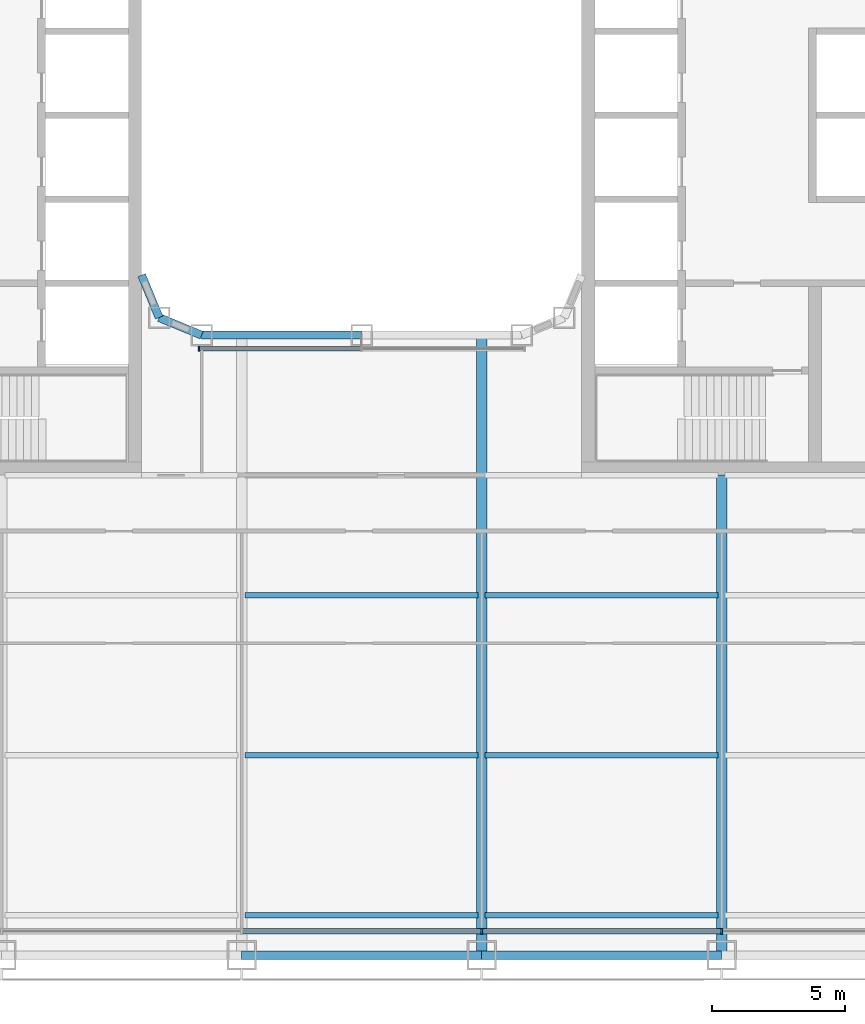
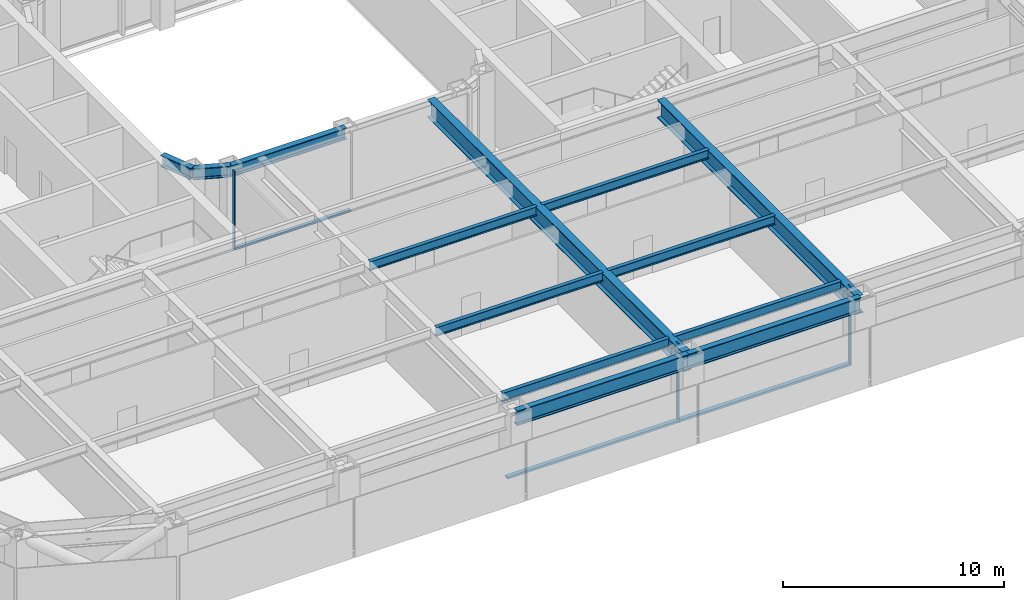
# One storey, part 3 of 24: 13 beams, 6 members, 2 elements without a shape of their own.
"""IFC4 building model written with IfcOpenShell, lengths in metres."""

import ifcopenshell
import ifcopenshell.guid

model = None  # the IFC model being written
_history = None  # IfcOwnerHistory: only IFC2X3 demands one
_inside = {}  # id of a spatial element -> (the spatial element, [elements in it])
_under = {}  # id of a project, library or spatial element -> (it, [spatial elements below it])
_declared = {}  # id of a project -> (the project, [libraries it declares])
_typed = {}  # id of a type object -> (the type object, [elements of that type])
_made_of = {}  # id of a material, layer set ... -> (it, [elements and type objects made of it])


def new_model(schema):
    """Start an empty IFC model of exactly this schema.

    Asked for "IFC4X3", IfcOpenShell would pick the latest addendum, in which some entities
    have other attributes; the version numbers below select the first issue.
    IFC2X3 requires an IfcOwnerHistory on every rooted entity: one is made here for all.
    """
    global model, _history
    if schema == "IFC4X3":
        model = ifcopenshell.file(schema_version=(4, 3, 0, 0))
    else:
        model = ifcopenshell.file(schema=schema)
    _inside.clear()
    _under.clear()
    _declared.clear()
    _typed.clear()
    _made_of.clear()
    _history = None
    if model.schema == "IFC2X3":
        org = make("IfcOrganization", Name="unknown")
        user = make(
            "IfcPersonAndOrganization",
            ThePerson=make("IfcPerson", FamilyName="unknown"),
            TheOrganization=org,
        )
        app = make(
            "IfcApplication",
            ApplicationDeveloper=org,
            Version="unknown",
            ApplicationFullName="unknown",
            ApplicationIdentifier="unknown",
        )
        _history = make(
            "IfcOwnerHistory",
            OwningUser=user,
            OwningApplication=app,
            ChangeAction="ADDED",
            CreationDate=0,
        )
    return model


def make(cls, **values):
    """One entity of the class cls with the attributes given. An attribute that is None is left unset."""
    return model.create_entity(
        cls, **{name: value for name, value in values.items() if value is not None}
    )


def rooted(cls, **values):
    """An entity with a GlobalId (a new one), such as an element, a storey or a relation."""
    return make(cls, GlobalId=ifcopenshell.guid.new(), OwnerHistory=_history, **values)


def si_unit(unit_type, name, prefix=None):
    """IfcSIUnit, for example si_unit("LENGTHUNIT", "METRE", prefix="MILLI")."""
    return make("IfcSIUnit", UnitType=unit_type, Prefix=prefix, Name=name)


def assignment(units):
    """IfcUnitAssignment: the units of a project."""
    return None if units is None else make("IfcUnitAssignment", Units=units)


def point(xyz):
    """IfcCartesianPoint."""
    return None if xyz is None else make("IfcCartesianPoint", Coordinates=xyz)


def direction(xyz):
    """IfcDirection."""
    return None if xyz is None else make("IfcDirection", DirectionRatios=xyz)


def frame(location, z_axis=None, x_axis=None):
    """IfcAxis2Placement3D, a coordinate frame: its origin and axes. An axis left out is left unset."""
    return make(
        "IfcAxis2Placement3D",
        Location=point(location),
        Axis=direction(z_axis),
        RefDirection=direction(x_axis),
    )


def frame_2d(location, x_axis=None):
    """IfcAxis2Placement2D, a coordinate frame in the plane: its origin and x axis."""
    return make(
        "IfcAxis2Placement2D", Location=point(location), RefDirection=direction(x_axis)
    )


def origin():
    """The frame at (0, 0, 0) with its axes left unset."""
    return frame((0.0, 0.0, 0.0))


def origin_2d():
    """The frame at (0, 0) in the plane with its x axis left unset."""
    return frame_2d((0.0, 0.0))


def place(relative_to, where):
    """IfcLocalPlacement: puts the frame where relative to a parent placement (None: the world)."""
    return make(
        "IfcLocalPlacement", PlacementRelTo=relative_to, RelativePlacement=where
    )


def context(
    kind, dimensions, precision=None, world=None, true_north=None, identifier=None
):
    """IfcGeometricRepresentationContext, for example the 3D "Model" context."""
    return make(
        "IfcGeometricRepresentationContext",
        ContextIdentifier=identifier,
        ContextType=kind,
        CoordinateSpaceDimension=dimensions,
        Precision=precision,
        WorldCoordinateSystem=world,
        TrueNorth=true_north,
    )


def subcontext(parent, identifier, kind, view, scale=None):
    """IfcGeometricRepresentationSubContext, for example "Body" below "Model"."""
    return make(
        "IfcGeometricRepresentationSubContext",
        ContextIdentifier=identifier,
        ContextType=kind,
        ParentContext=parent,
        TargetScale=scale,
        TargetView=view,
    )


def project(units=None, contexts=None):
    """IfcProject with its units and contexts."""
    return rooted(
        "IfcProject",
        Name="project",
        RepresentationContexts=contexts,
        UnitsInContext=assignment(units),
    )


def spatial(cls, under=None, at=None, **own):
    """A site, building, storey or space (cls), placed at a placement, below another one or the project."""
    s = rooted(cls, ObjectPlacement=at, **own)
    if under is not None:
        _under.setdefault(under.id(), (under, []))[1].append(s)
    return s


def profile(cls, at=None, kind="AREA", **sizes):
    """A parametric profile (cls). Its sizes go by their IFC names, for example OverallWidth=200.0."""
    return make(cls, ProfileType=kind, Position=at, **sizes)


def rectangle(**sizes):
    """IfcRectangleProfileDef."""
    return profile("IfcRectangleProfileDef", **sizes)


def i_section(**sizes):
    """IfcIShapeProfileDef."""
    return profile("IfcIShapeProfileDef", **sizes)


def extrude(swept, where, along, depth):
    """IfcExtrudedAreaSolid: the profile swept, set in the frame where, extruded along a direction by depth."""
    return make(
        "IfcExtrudedAreaSolid",
        SweptArea=swept,
        Position=where,
        ExtrudedDirection=direction(along),
        Depth=depth,
    )


def shape(context_of_items, identifier, shape_type, items):
    """IfcShapeRepresentation: the items that make up one representation, for example the "Body"."""
    return make(
        "IfcShapeRepresentation",
        ContextOfItems=context_of_items,
        RepresentationIdentifier=identifier,
        RepresentationType=shape_type,
        Items=items,
    )


def material(Name=None, Category=None):
    """IfcMaterial."""
    return make("IfcMaterial", Name=Name, Category=Category)


def layer(
    of_material, thickness, ventilated=None, Name=None, Category=None, Priority=None
):
    """IfcMaterialLayer: one layer of a wall or slab, of a material (None: an air gap)."""
    return make(
        "IfcMaterialLayer",
        Material=of_material,
        LayerThickness=thickness,
        IsVentilated=ventilated,
        Name=Name,
        Category=Category,
        Priority=Priority,
    )


def layer_set(layers, Name=None):
    """IfcMaterialLayerSet."""
    return make("IfcMaterialLayerSet", MaterialLayers=layers, LayerSetName=Name)


def material_profile(
    of_material, cross_section, Name=None, Category=None, Priority=None
):
    """IfcMaterialProfile: a cross section and its material."""
    return make(
        "IfcMaterialProfile",
        Name=Name,
        Material=of_material,
        Profile=cross_section,
        Priority=Priority,
        Category=Category,
    )


def profile_set(profiles, Name=None, composite=None):
    """IfcMaterialProfileSet."""
    return make(
        "IfcMaterialProfileSet",
        Name=Name,
        MaterialProfiles=profiles,
        CompositeProfile=composite,
    )


def made_of(thing, what):
    """Note that an element or type object is made of a material, layer set ...; save() writes the relation."""
    if what is not None:
        _made_of.setdefault(what.id(), (what, []))[1].append(thing)
    return thing


def type_object(cls, material=None, **own):
    """A type object (cls), such as IfcWallType, which elements share."""
    return made_of(rooted(cls, **own), material)


def element(
    cls,
    number,
    at=None,
    inside=None,
    cuts=None,
    type_object=None,
    material=None,
    context=None,
    identifier="Body",
    shape_type=None,
    held_by="IfcProductDefinitionShape",
    body=None,
    shapes=None,
    **own,
):
    """One element of the class cls, such as IfcWall. Its Tag is "e" and its number.

    at: its placement. inside: the storey or other place that contains it. cuts: it is an
    opening in that element (IfcRelVoidsElement). A single representation is given by context,
    identifier, shape_type and body (its items); several are given by shapes. held_by: the class
    of the entity that holds the representations. save() writes the other relations.
    """
    e = rooted(cls, Tag="e%d" % number, ObjectPlacement=at, **own)
    if body is not None:
        shapes = [shape(context, identifier, shape_type, body)]
    if shapes is not None:
        e.Representation = make(held_by, Representations=shapes)
    if inside is not None:
        _inside.setdefault(inside.id(), (inside, []))[1].append(e)
    if cuts is not None:
        rooted(
            "IfcRelVoidsElement", RelatingBuildingElement=cuts, RelatedOpeningElement=e
        )
    if type_object is not None:
        _typed.setdefault(type_object.id(), (type_object, []))[1].append(e)
    return made_of(e, material)


def aggregate(whole, parts):
    """IfcRelAggregates: a whole, such as a stair, and the parts it consists of."""
    return rooted("IfcRelAggregates", RelatingObject=whole, RelatedObjects=parts)


def save(model, path):
    """Write the relations noted so far, then the file.

    IfcRelAggregates (storeys below a building ...), IfcRelContainedInSpatialStructure (elements
    in a storey), IfcRelDefinesByType, IfcRelAssociatesMaterial and IfcRelDeclares: one each for
    every whole, place, type object, material and project.
    """
    for whole, parts in _under.values():
        aggregate(whole, parts)
    for where, things in _inside.values():
        rooted(
            "IfcRelContainedInSpatialStructure",
            RelatedElements=things,
            RelatingStructure=where,
        )
    for kind, things in _typed.values():
        rooted("IfcRelDefinesByType", RelatedObjects=things, RelatingType=kind)
    for what, things in _made_of.values():
        rooted("IfcRelAssociatesMaterial", RelatedObjects=things, RelatingMaterial=what)
    for by, libraries in _declared.values():
        rooted("IfcRelDeclares", RelatingContext=by, RelatedDefinitions=libraries)
    model.write(path)


model = new_model("IFC4")

# Units and contexts
model_context = context("Model", 3, precision=1e-05, world=origin(), true_north=direction((0.0, 1.0)))
body_context = subcontext(model_context, "Body", "Model", "MODEL_VIEW")
ifc_project = project(units=[si_unit("LENGTHUNIT", "METRE"), si_unit("AREAUNIT", "SQUARE_METRE"), si_unit("VOLUMEUNIT", "CUBIC_METRE"), si_unit("PLANEANGLEUNIT", "RADIAN"), si_unit("MASSUNIT", "GRAM", prefix="KILO")], contexts=[model_context])

# Site, building, storey
site_placement = place(None, origin())
site = spatial("IfcSite", under=ifc_project, at=site_placement, CompositionType="ELEMENT")
building_placement = place(site_placement, origin())
building = spatial("IfcBuilding", under=site, at=building_placement, Name="Siwar Civic Tower", CompositionType="ELEMENT")
storey_placement = place(building_placement, frame((0.0, 0.0, 22.199951171875)))
storey = spatial("IfcBuildingStorey", under=building, at=storey_placement, Name="L04", CompositionType="ELEMENT", Elevation=22.199951171875)

# Curtain wall, members
ifc_material_1 = material(Name="Aluminium and glass", Category="aluminium")
ifc_layer_1 = layer(ifc_material_1, 0.219970703125)
ifc_layer_set_1 = layer_set([ifc_layer_1], Name="Aluminium and glass")
curtain_wall_type_1 = type_object("IfcCurtainWallType", Name="ENV-CW-A", PredefinedType="NOTDEFINED", material=ifc_layer_set_1)
curtain_wall_1_placement = place(storey_placement, origin())
curtain_wall_1 = element("IfcCurtainWall", 1, at=curtain_wall_1_placement, inside=storey, type_object=curtain_wall_type_1, Name="Curtain wall A S", PredefinedType="NOTDEFINED")
ifc_material_2 = material(Name="Aluminium 6063-T6", Category="aluminium")
ifc_material_profile_1 = material_profile(ifc_material_2, rectangle(XDim=0.219970703125, YDim=0.070068359375, at=origin_2d()), Name="AL 220x70")
ifc_profile_set_1 = profile_set([ifc_material_profile_1], Name="Aluminium 6063-T6")
member_type_1 = type_object("IfcMemberType", Name="ENV-MULLION-A", PredefinedType="MULLION", material=ifc_profile_set_1)
member_1_placement = place(storey_placement, frame((4.5, -30.60009765625, 0.0), z_axis=(0.0, 0.0, 1.0), x_axis=(0.0, 1.0, 0.0)))
member_1 = element("IfcMember", 2, at=member_1_placement, type_object=member_type_1, Name="Mullion A S 4", PredefinedType="MULLION", context=body_context, shape_type="SweptSolid", body=[
    extrude(rectangle(XDim=0.219970703125, YDim=0.070068359375, at=origin_2d()), origin(), (0.0, 0.0, 1.0), 4.35009765625),
])
member_2_placement = place(storey_placement, frame((13.5, -30.60009765625, 0.0), z_axis=(0.0, 0.0, 1.0), x_axis=(0.0, 1.0, 0.0)))
member_2 = element("IfcMember", 3, at=member_2_placement, type_object=member_type_1, Name="Mullion A S 5", PredefinedType="MULLION", context=body_context, shape_type="SweptSolid", body=[
    extrude(rectangle(XDim=0.219970703125, YDim=0.070068359375, at=origin_2d()), origin(), (0.0, 0.0, 1.0), 4.35009765625),
])

# Curtain wall, member
ifc_material_3 = material(Name="Aluminium and glass", Category="aluminium")
ifc_layer_2 = layer(ifc_material_3, 0.179931640625)
ifc_layer_set_2 = layer_set([ifc_layer_2], Name="Aluminium and glass")
curtain_wall_type_2 = type_object("IfcCurtainWallType", Name="ENV-CW-W", PredefinedType="NOTDEFINED", material=ifc_layer_set_2)
curtain_wall_2_placement = place(storey_placement, origin())
curtain_wall_2 = element("IfcCurtainWall", 4, at=curtain_wall_2_placement, inside=storey, type_object=curtain_wall_type_2, Name="Curtain wall W WS", PredefinedType="NOTDEFINED")
ifc_material_4 = material(Name="Aluminium 6063-T6", Category="aluminium")
ifc_material_profile_2 = material_profile(ifc_material_4, rectangle(XDim=0.179931640625, YDim=0.06005859375, at=origin_2d()), Name="AL 180x60")
ifc_profile_set_2 = profile_set([ifc_material_profile_2], Name="Aluminium 6063-T6")
member_type_2 = type_object("IfcMemberType", Name="ENV-MULLION-W", PredefinedType="MULLION", material=ifc_profile_set_2)
member_3_placement = place(storey_placement, frame((-6.1015625, -8.760009765625, 0.0), z_axis=(0.0, 0.0, 1.0), x_axis=(0.0, 1.0, 0.0)))
member_3 = element("IfcMember", 5, at=member_3_placement, type_object=member_type_2, Name="Mullion W WS 1", PredefinedType="MULLION", context=body_context, shape_type="SweptSolid", body=[
    extrude(rectangle(XDim=0.179931640625, YDim=0.06005859375, at=origin_2d()), origin(), (0.0, 0.0, 1.0), 4.35009765625),
])

# Member
ifc_material_5 = material(Name="Aluminium 6063-T6", Category="aluminium")
ifc_material_profile_3 = material_profile(ifc_material_5, rectangle(XDim=0.219970703125, YDim=0.1201171875, at=origin_2d()), Name="AL 220x120")
ifc_profile_set_3 = profile_set([ifc_material_profile_3], Name="Aluminium 6063-T6")
member_type_3 = type_object("IfcMemberType", Name="ENV-TRANSOM-A", PredefinedType="USERDEFINED", material=ifc_profile_set_3)
member_4_placement = place(storey_placement, frame((-4.465087890625, -30.60009765625, 0.06005859375), z_axis=(1.0, 0.0, 0.0), x_axis=(0.0, 1.0, 0.0)))
member_4 = element("IfcMember", 6, at=member_4_placement, type_object=member_type_3, Name="Transom A S 3", ObjectType="TRANSOM", PredefinedType="USERDEFINED", context=body_context, shape_type="SweptSolid", body=[
    extrude(rectangle(XDim=0.219970703125, YDim=0.1201171875, at=origin_2d()), origin(), (0.0, 0.0, 1.0), 8.93017578125),
])

member_5_placement = place(storey_placement, frame((4.534912109375, -30.60009765625, 0.06005859375), z_axis=(1.0, 0.0, 0.0), x_axis=(0.0, 1.0, 0.0)))
member_5 = element("IfcMember", 7, at=member_5_placement, type_object=member_type_3, Name="Transom A S 4", ObjectType="TRANSOM", PredefinedType="USERDEFINED", context=body_context, shape_type="SweptSolid", body=[
    extrude(rectangle(XDim=0.219970703125, YDim=0.1201171875, at=origin_2d()), origin(), (0.0, 0.0, 1.0), 8.93017578125),
])

aggregate(curtain_wall_1, [member_1, member_2, member_4, member_5])

ifc_material_6 = material(Name="Aluminium 6063-T6", Category="aluminium")
ifc_material_profile_4 = material_profile(ifc_material_6, rectangle(XDim=0.179931640625, YDim=0.10009765625, at=origin_2d()), Name="AL 180x100")
ifc_profile_set_4 = profile_set([ifc_material_profile_4], Name="Aluminium 6063-T6")
member_type_4 = type_object("IfcMemberType", Name="ENV-TRANSOM-W", PredefinedType="USERDEFINED", material=ifc_profile_set_4)
member_6_placement = place(storey_placement, frame((-6.071533203125, -8.760009765625, 0.050048828125), z_axis=(1.0, 0.0, 0.0), x_axis=(0.0, 1.0, 0.0)))
member_6 = element("IfcMember", 8, at=member_6_placement, type_object=member_type_4, Name="Transom W WS 1", ObjectType="TRANSOM", PredefinedType="USERDEFINED", context=body_context, shape_type="SweptSolid", body=[
    extrude(rectangle(XDim=0.179931640625, YDim=0.10009765625, at=origin_2d()), origin(), (0.0, 0.0, 1.0), 6.04150390625),
])

aggregate(curtain_wall_2, [member_3, member_6])

# Beams
ifc_material_7 = material(Name="Steel S355", Category="steel")
ifc_material_profile_5 = material_profile(ifc_material_7, i_section(OverallWidth=0.199951171875, OverallDepth=0.5, WebThickness=0.01025390625, FlangeThickness=0.01611328125, FilletRadius=0.02099609375, at=origin_2d()), Name="IPE500")
ifc_profile_set_5 = profile_set([ifc_material_profile_5], Name="Steel S355")
beam_type_1 = type_object("IfcBeamType", Name="STR-FB-IPE500", PredefinedType="JOIST", material=ifc_profile_set_5)
for number, where, z_axis, x_axis, name in (
    (9, (-4.3701171875, -30.0, 4.10009765625), (1.0, 0.0, 0.0), (0.0, 1.0, 0.0), "L04/bm/F004"),
    (10, (4.6298828125, -30.0, 4.10009765625), (1.0, 0.0, 0.0), (0.0, 1.0, 0.0), "L04/bm/F005"),
    (11, (-4.3701171875, -24.0, 4.10009765625), (1.0, 0.0, 0.0), (0.0, 1.0, 0.0), "L04/bm/F011"),
    (12, (4.6298828125, -24.0, 4.10009765625), (1.0, 0.0, 0.0), (0.0, 1.0, 0.0), "L04/bm/F012"),
    (13, (-4.3701171875, -18.0, 4.10009765625), (1.0, 0.0, 0.0), (0.0, 1.0, 0.0), "L04/bm/F018"),
    (14, (4.6298828125, -18.0, 4.10009765625), (1.0, 0.0, 0.0), (0.0, 1.0, 0.0), "L04/bm/F019"),
):
    element("IfcBeam", number, at=place(storey_placement, frame(where, z_axis=z_axis, x_axis=x_axis)), inside=storey, type_object=beam_type_1, Name=name, PredefinedType="JOIST", context=body_context, shape_type="SweptSolid", body=[
        extrude(i_section(OverallWidth=0.199951171875, OverallDepth=0.5, WebThickness=0.01025390625, FlangeThickness=0.01611328125, FilletRadius=0.02099609375, at=origin_2d()), origin(), (0.0, 0.0, 1.0), 8.740234375),
    ])
ifc_material_8 = material(Name="Steel S355", Category="steel")
ifc_material_profile_6 = material_profile(ifc_material_8, i_section(OverallWidth=0.39990234375, OverallDepth=1.0, WebThickness=0.01611328125, FlangeThickness=0.0400390625, at=origin_2d()), Name="PG1000x400x16x40")
ifc_profile_set_6 = profile_set([ifc_material_profile_6], Name="Steel S355")
beam_type_2 = type_object("IfcBeamType", Name="STR-PG-PG1000x400x16x40", PredefinedType="BEAM", material=ifc_profile_set_6)
beam_1_placement = place(storey_placement, frame((4.5, -31.5, 3.85009765625), z_axis=(0.0, 1.0, 0.0), x_axis=(-1.0, 0.0, 0.0)))
element("IfcBeam", 15, at=beam_1_placement, inside=storey, type_object=beam_type_2, Name="L04/bm/G07", PredefinedType="BEAM", context=body_context, shape_type="SweptSolid", body=[
    extrude(i_section(OverallWidth=0.39990234375, OverallDepth=1.0, WebThickness=0.01611328125, FlangeThickness=0.0400390625, at=origin_2d()), origin(), (0.0, 0.0, 1.0), 23.25),
])
beam_2_placement = place(storey_placement, frame((13.5, -31.5, 3.85009765625), z_axis=(0.0, 1.0, 0.0), x_axis=(-1.0, 0.0, 0.0)))
element("IfcBeam", 16, at=beam_2_placement, inside=storey, type_object=beam_type_2, Name="L04/bm/G09", PredefinedType="BEAM", context=body_context, shape_type="SweptSolid", body=[
    extrude(i_section(OverallWidth=0.39990234375, OverallDepth=1.0, WebThickness=0.01611328125, FlangeThickness=0.0400390625, at=origin_2d()), origin(), (0.0, 0.0, 1.0), 18.0),
])
ifc_material_9 = material(Name="Steel S355", Category="steel")
ifc_material_profile_7 = material_profile(ifc_material_9, i_section(OverallWidth=0.304931640625, OverallDepth=0.6201171875, WebThickness=0.02099609375, FlangeThickness=0.0400390625, FilletRadius=0.027099609375, at=origin_2d()), Name="HEM600")
ifc_profile_set_7 = profile_set([ifc_material_profile_7], Name="Steel S355")
beam_type_3 = type_object("IfcBeamType", Name="STR-RB-HEM600", PredefinedType="BEAM", material=ifc_profile_set_7)
beam_3_placement = place(storey_placement, frame((-7.591064453125, -7.591064453125, 4.0400390625), z_axis=(0.923901072997, -0.382631424892, 0.0), x_axis=(0.382631424892, 0.923901072997, 0.0)))
element("IfcBeam", 17, at=beam_3_placement, inside=storey, type_object=beam_type_3, Name="L04/bm/RS0", PredefinedType="BEAM", context=body_context, shape_type="SweptSolid", body=[
    extrude(i_section(OverallWidth=0.304931640625, OverallDepth=0.6201171875, WebThickness=0.02099609375, FlangeThickness=0.0400390625, FilletRadius=0.027099609375, at=origin_2d()), origin(), (0.0, 0.0, 1.0), 1.72216796875),
])
beam_4_placement = place(storey_placement, frame((-6.0, -8.25, 4.0400390625), z_axis=(1.0, 0.0, 0.0), x_axis=(0.0, 1.0, 0.0)))
element("IfcBeam", 18, at=beam_4_placement, inside=storey, type_object=beam_type_3, Name="L04/bm/RS1", PredefinedType="BEAM", context=body_context, shape_type="SweptSolid", body=[
    extrude(i_section(OverallWidth=0.304931640625, OverallDepth=0.6201171875, WebThickness=0.02099609375, FlangeThickness=0.0400390625, FilletRadius=0.027099609375, at=origin_2d()), origin(), (0.0, 0.0, 1.0), 6.0),
])
beam_5_placement = place(storey_placement, frame((-7.591064453125, -7.591064453125, 4.0400390625), z_axis=(-0.382631424892, 0.923901072997, 0.0), x_axis=(-0.923901072997, -0.382631424892, 0.0)))
element("IfcBeam", 19, at=beam_5_placement, inside=storey, type_object=beam_type_3, Name="L04/bm/RSEW", PredefinedType="BEAM", context=body_context, shape_type="SweptSolid", body=[
    extrude(i_section(OverallWidth=0.304931640625, OverallDepth=0.6201171875, WebThickness=0.02099609375, FlangeThickness=0.0400390625, FilletRadius=0.027099609375, at=origin_2d()), origin(), (0.0, 0.0, 1.0), 1.72216796875),
])
ifc_material_10 = material(Name="Steel S355", Category="steel")
ifc_material_profile_8 = material_profile(ifc_material_10, i_section(OverallWidth=0.302978515625, OverallDepth=0.81396484375, WebThickness=0.02099609375, FlangeThickness=0.0400390625, FilletRadius=0.030029296875, at=origin_2d()), Name="HEM800")
ifc_profile_set_8 = profile_set([ifc_material_profile_8], Name="Steel S355")
beam_type_4 = type_object("IfcBeamType", Name="STR-SB-HEM800", PredefinedType="BEAM", material=ifc_profile_set_8)
for number, where, z_axis, x_axis, name in (
    (20, (-4.5, -31.5, 3.943115234375), (1.0, 0.0, 0.0), (0.0, 1.0, 0.0), "L04/bm/SS-2"),
    (21, (4.5, -31.5, 3.943115234375), (1.0, 0.0, 0.0), (0.0, 1.0, 0.0), "L04/bm/SS-3"),
):
    element("IfcBeam", number, at=place(storey_placement, frame(where, z_axis=z_axis, x_axis=x_axis)), inside=storey, type_object=beam_type_4, Name=name, PredefinedType="BEAM", context=body_context, shape_type="SweptSolid", body=[
        extrude(i_section(OverallWidth=0.302978515625, OverallDepth=0.81396484375, WebThickness=0.02099609375, FlangeThickness=0.0400390625, FilletRadius=0.030029296875, at=origin_2d()), origin(), (0.0, 0.0, 1.0), 9.0),
    ])

save(model, "model.ifc")
